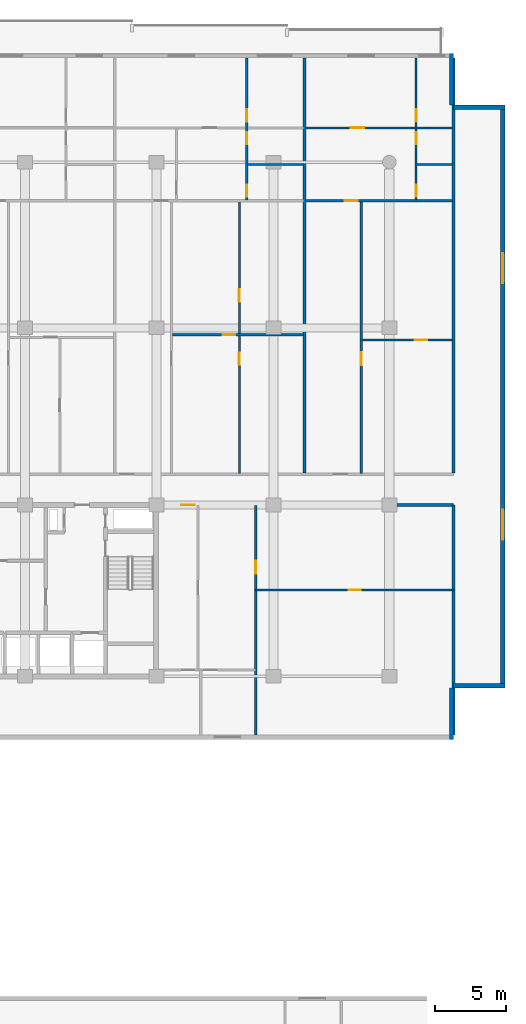
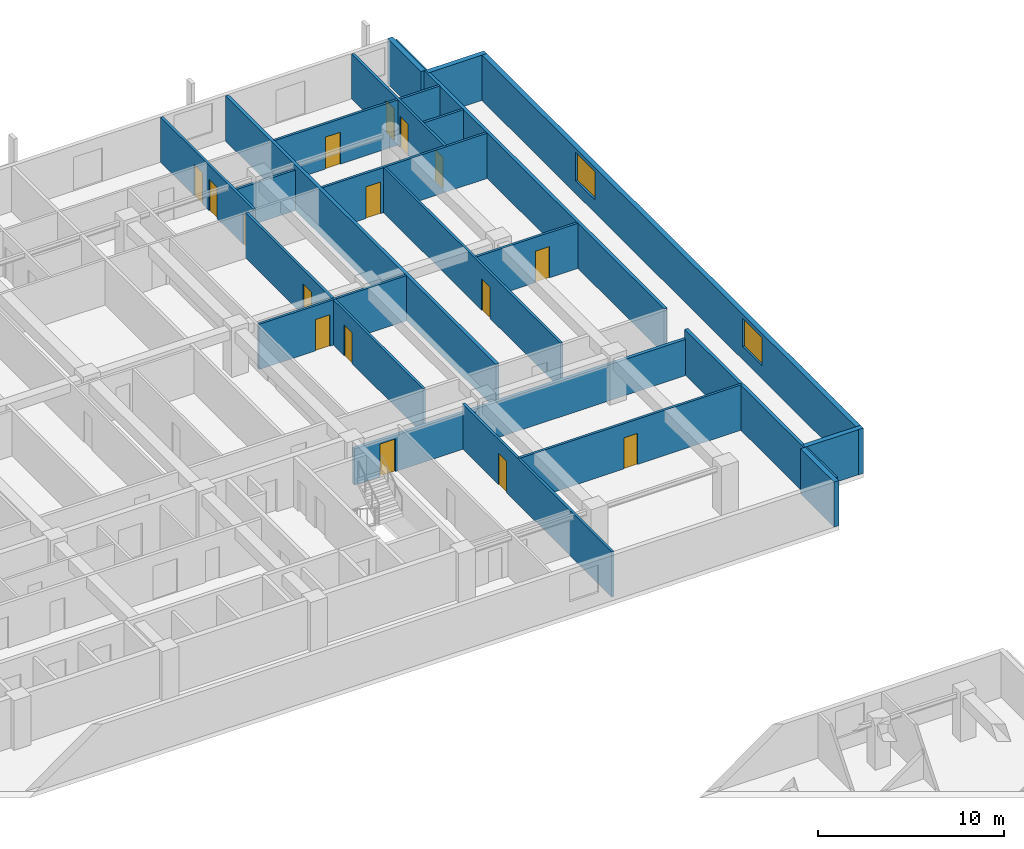
# One storey, part 17 of 23: 21 walls, 16 doors, 2 windows, 18 openings.
"""IFC4 building model written with IfcOpenShell, lengths in metres."""

from ifc_helpers import new_model, si_unit, direction, frame, frame_2d, origin, place, context, subcontext, project, spatial, rectangle, extrude, material, layer, layer_set, type_object, element, fill, save


model = new_model("IFC4")

# Units and contexts
model_context = context("Model", 3, precision=1e-05, world=origin(), true_north=direction((0.0, 1.0)))
body_context = subcontext(model_context, "Body", "Model", "MODEL_VIEW")
ifc_project = project(units=[si_unit("LENGTHUNIT", "METRE"), si_unit("AREAUNIT", "SQUARE_METRE"), si_unit("VOLUMEUNIT", "CUBIC_METRE"), si_unit("PLANEANGLEUNIT", "RADIAN"), si_unit("MASSUNIT", "GRAM", prefix="KILO")], contexts=[model_context])

# Site, building, storey
site_placement = place(None, origin())
site = spatial("IfcSite", under=ifc_project, at=site_placement, CompositionType="ELEMENT")
building_placement = place(site_placement, origin())
building = spatial("IfcBuilding", under=site, at=building_placement, Name="Korimba Cascade Residences", CompositionType="ELEMENT")
storey_placement = place(building_placement, frame((0.0, 0.0, 33.75)))
storey = spatial("IfcBuildingStorey", under=building, at=storey_placement, Name="L08", CompositionType="ELEMENT", Elevation=33.75)

# Walls
ifc_material_1 = material(Name="Precast concrete C40/50", Category="concrete")
ifc_layer_1 = layer(ifc_material_1, 0.300048828125)
ifc_layer_set_1 = layer_set([ifc_layer_1], Name="Precast concrete C40/50")
wall_type_1 = type_object("IfcWallType", Name="EW-STONE-300", PredefinedType="STANDARD", material=ifc_layer_set_1)
wall_1_placement = place(storey_placement, frame((132.75, 50.800048828125, 0.0), z_axis=(0.0, 0.0, 1.0), x_axis=(0.0, 1.0, 0.0)))
element("IfcWall", 1, at=wall_1_placement, inside=storey, type_object=wall_type_1, Name="L08 T1 Perimeter Stone Wall E01", PredefinedType="STANDARD", context=body_context, shape_type="SweptSolid", body=[
    extrude(rectangle(XDim=3.599853515625, YDim=0.300048828125, at=frame_2d((1.7998046875, 0.0))), origin(), (0.0, 0.0, 1.0), 2.969970703125),
])
wall_2_placement = place(storey_placement, frame((132.89990234375, 54.550048828125, 0.0), z_axis=(0.0, 0.0, 1.0), x_axis=(1.0, 0.0, 0.0)))
element("IfcWall", 2, at=wall_2_placement, inside=storey, type_object=wall_type_1, Name="L08 T1 Perimeter Stone Wall E02", PredefinedType="STANDARD", context=body_context, shape_type="SweptSolid", body=[
    extrude(rectangle(XDim=3.60009765625, YDim=0.300048828125, at=frame_2d((1.800048828125, 0.0))), origin(), (0.0, 0.0, 1.0), 2.969970703125),
])

# Wall, openings, windows
wall_3_placement = place(storey_placement, frame((136.35009765625, 54.39990234375, 0.0), z_axis=(0.0, 0.0, 1.0), x_axis=(0.0, 1.0, 0.0)))
wall_3 = element("IfcWall", 3, at=wall_3_placement, inside=storey, type_object=wall_type_1, Name="L08 T1 Perimeter Stone Wall E03", PredefinedType="STANDARD", context=body_context, shape_type="SweptSolid", body=[
    extrude(rectangle(XDim=40.800048828125, YDim=0.300048828125, at=frame_2d((20.39990234375, 0.0))), origin(), (0.0, 0.0, 1.0), 2.969970703125),
])
opening_1_placement = place(wall_3_placement, frame((10.3740234375, 0.0, 0.85009765625)))
opening_1 = element("IfcOpeningElement", 4, at=opening_1_placement, cuts=wall_3, Name="Opening W-03", PredefinedType="OPENING", context=body_context, shape_type="SweptSolid", body=[
    extrude(rectangle(XDim=2.10009765625, YDim=1.85009765625, at=frame_2d((1.050048828125, 0.925048828125))), frame((0.0, 0.16015625, 0.0), z_axis=(0.0, -1.0, 0.0), x_axis=(1.0, 0.0, 0.0)), (0.0, 0.0, 1.0), 0.320068359375),
])
opening_2_placement = place(wall_3_placement, frame((28.325927734375, 0.0, 0.85009765625)))
opening_2 = element("IfcOpeningElement", 5, at=opening_2_placement, cuts=wall_3, Name="Opening W-03", PredefinedType="OPENING", context=body_context, shape_type="SweptSolid", body=[
    extrude(rectangle(XDim=2.10009765625, YDim=1.85009765625, at=frame_2d((1.050048828125, 0.925048828125))), frame((0.0, 0.16015625, 0.0), z_axis=(0.0, -1.0, 0.0), x_axis=(1.0, 0.0, 0.0)), (0.0, 0.0, 1.0), 0.320068359375),
])
ifc_material_2 = material(Name="Double-Glazed Aluminium Window", Category="aluminium")
window_type = type_object("IfcWindowType", Name="WIN-CRN-2100", PartitioningType="DOUBLE_PANEL_HORIZONTAL", PredefinedType="WINDOW", material=ifc_material_2)
window_1_placement = place(opening_1_placement, origin())
window_1 = element("IfcWindow", 6, at=window_1_placement, inside=storey, type_object=window_type, Name="L08 T1 End View Window 3.1", OverallHeight=1.85009765625, OverallWidth=2.10009765625, PartitioningType="DOUBLE_PANEL_HORIZONTAL", PredefinedType="WINDOW", context=body_context, shape_type="SweptSolid", body=[
    extrude(rectangle(XDim=2.10009765625, YDim=1.85009765625, at=frame_2d((1.050048828125, 0.925048828125))), frame((0.0, 0.030029296875, 0.0), z_axis=(0.0, -1.0, 0.0), x_axis=(1.0, 0.0, 0.0)), (0.0, 0.0, 1.0), 0.06005859375),
])
fill(opening_1, window_1)
window_2_placement = place(opening_2_placement, origin())
window_2 = element("IfcWindow", 7, at=window_2_placement, inside=storey, type_object=window_type, Name="L08 T1 End View Window 3.2", OverallHeight=1.85009765625, OverallWidth=2.10009765625, PartitioningType="DOUBLE_PANEL_HORIZONTAL", PredefinedType="WINDOW", context=body_context, shape_type="SweptSolid", body=[
    extrude(rectangle(XDim=2.10009765625, YDim=1.85009765625, at=frame_2d((1.050048828125, 0.925048828125))), frame((0.0, 0.030029296875, 0.0), z_axis=(0.0, -1.0, 0.0), x_axis=(1.0, 0.0, 0.0)), (0.0, 0.0, 1.0), 0.06005859375),
])
fill(opening_2, window_2)

# Walls
for number, where, z_axis, x_axis, name in (
    (8, (136.5, 95.050048828125, 0.0), (0.0, 0.0, 1.0), (-1.0, 0.0, 0.0), "L08 T1 Perimeter Stone Wall E04"),
    (9, (132.75, 95.199951171875, 0.0), (0.0, 0.0, 1.0), (0.0, 1.0, 0.0), "L08 T1 Perimeter Stone Wall E05"),
):
    element("IfcWall", number, at=place(storey_placement, frame(where, z_axis=z_axis, x_axis=x_axis)), inside=storey, type_object=wall_type_1, Name=name, PredefinedType="STANDARD", context=body_context, shape_type="SweptSolid", body=[
        extrude(rectangle(XDim=3.60009765625, YDim=0.300048828125, at=frame_2d((1.800048828125, 0.0))), origin(), (0.0, 0.0, 1.0), 2.969970703125),
    ])
ifc_layer_2 = layer(ifc_material_1, 0.199951171875)
ifc_layer_set_2 = layer_set([ifc_layer_2], Name="Precast concrete C40/50")
wall_type_2 = type_object("IfcWallType", Name="WAL-IT-200", PredefinedType="PARTITIONING", material=ifc_layer_set_2)
wall_4_placement = place(storey_placement, frame((132.89990234375, 51.10009765625, 0.0), z_axis=(0.0, 0.0, 1.0), x_axis=(0.0, 1.0, 0.0)))
element("IfcWall", 10, at=wall_4_placement, inside=storey, type_object=wall_type_2, Name="L08 Partition Wall WAL-L08-T1-FE-WR", PredefinedType="PARTITIONING", context=body_context, shape_type="SweptSolid", body=[
    extrude(rectangle(XDim=16.099853515625, YDim=0.199951171875, at=frame_2d((8.0498046875, 0.0))), origin(), (0.0, 0.0, 1.0), 2.969970703125),
])

# Wall, opening, door
wall_5_placement = place(storey_placement, frame((112.25, 67.199951171875, 0.0), z_axis=(0.0, 0.0, 1.0), x_axis=(1.0, 0.0, 0.0)))
wall_5 = element("IfcWall", 11, at=wall_5_placement, inside=storey, type_object=wall_type_2, Name="L08 Partition Wall WAL-L08-T1-FE-N", PredefinedType="PARTITIONING", context=body_context, shape_type="SweptSolid", body=[
    extrude(rectangle(XDim=20.64990234375, YDim=0.199951171875, at=frame_2d((10.324951171875, 0.0))), origin(), (0.0, 0.0, 1.0), 2.3701171875),
])
opening_3_placement = place(wall_5_placement, frame((1.580078125, 0.0, 0.0)))
opening_3 = element("IfcOpeningElement", 12, at=opening_3_placement, cuts=wall_5, Name="Opening D-UN1", PredefinedType="OPENING", context=body_context, shape_type="SweptSolid", body=[
    extrude(rectangle(XDim=0.949951171875, YDim=2.14990234375, at=frame_2d((0.47509765625, 1.074951171875))), frame((0.0, 0.10986328125, 0.0), z_axis=(0.0, -1.0, 0.0), x_axis=(1.0, 0.0, 0.0)), (0.0, 0.0, 1.0), 0.219970703125),
])
ifc_material_3 = material(Name="Fire-Rated Hardwood Apartment Entrance Door", Category="wood")
door_type_1 = type_object("IfcDoorType", Name="DR-FD60-950", OperationType="NOTDEFINED", PredefinedType="DOOR", material=ifc_material_3)
door_1_placement = place(opening_3_placement, origin())
door_1 = element("IfcDoor", 13, at=door_1_placement, inside=storey, type_object=door_type_1, Name="L08-T1-FE Entrance Door", OperationType="SINGLE_SWING_RIGHT", OverallHeight=2.14990234375, OverallWidth=0.949951171875, PredefinedType="DOOR", context=body_context, shape_type="SweptSolid", body=[
    extrude(rectangle(XDim=0.949951171875, YDim=2.14990234375, at=frame_2d((0.47509765625, 1.074951171875))), frame((0.0, 0.02490234375, 0.0), z_axis=(0.0, -1.0, 0.0), x_axis=(1.0, 0.0, 0.0)), (0.0, 0.0, 1.0), 0.050048828125),
])
fill(opening_3, door_1)

# Walls
for number, where, z_axis, x_axis, name in (
    (14, (132.89990234375, 69.429931640625, 0.0), (0.0, 0.0, 1.0), (0.0, 1.0, 0.0), "L08 Partition Wall WAL-L08-T1-BNDWR"),
    (15, (122.4697265625, 69.429931640625, 0.0), (0.0, 0.0, 1.0), (0.0, 1.0, 0.0), "L08 Partition Wall WAL-L08-T1-DEM-5"),
):
    element("IfcWall", number, at=place(storey_placement, frame(where, z_axis=z_axis, x_axis=x_axis)), inside=storey, type_object=wall_type_2, Name=name, PredefinedType="PARTITIONING", context=body_context, shape_type="SweptSolid", body=[
        extrude(rectangle(XDim=29.070068359375, YDim=0.199951171875, at=frame_2d((14.53515625, 0.0))), origin(), (0.0, 0.0, 1.0), 2.969970703125),
    ])

# Wall, opening, door
ifc_material_4 = material(Name="Insulated Acoustic Stud Partition", Category="gypsum")
ifc_layer_3 = layer(ifc_material_4, 0.14990234375)
ifc_layer_set_3 = layer_set([ifc_layer_3], Name="Insulated Acoustic Stud Partition")
wall_type_3 = type_object("IfcWallType", Name="WAL-PART-150", PredefinedType="PARTITIONING", material=ifc_layer_set_3)
wall_6_placement = place(storey_placement, frame((119.050048828125, 61.25, 0.0), z_axis=(0.0, 0.0, 1.0), x_axis=(1.0, 0.0, 0.0)))
wall_6 = element("IfcWall", 16, at=wall_6_placement, inside=storey, type_object=wall_type_3, Name="L08 Partition Wall WAL-L08-T1-FE-STH", PredefinedType="PARTITIONING", context=body_context, shape_type="SweptSolid", body=[
    extrude(rectangle(XDim=13.849853515625, YDim=0.14990234375, at=frame_2d((6.9248046875, 0.0))), origin(), (0.0, 0.0, 1.0), 2.969970703125),
])
opening_4_placement = place(wall_6_placement, frame((6.5048828125, 0.0, 0.0)))
opening_4 = element("IfcOpeningElement", 17, at=opening_4_placement, cuts=wall_6, Name="Opening D-BT1", PredefinedType="OPENING", context=body_context, shape_type="SweptSolid", body=[
    extrude(rectangle(XDim=0.840087890625, YDim=2.0400390625, at=frame_2d((0.419921875, 1.02001953125))), frame((0.0, 0.0849609375, 0.0), z_axis=(0.0, -1.0, 0.0), x_axis=(1.0, 0.0, 0.0)), (0.0, 0.0, 1.0), 0.169921875),
])
ifc_material_5 = material(Name="Moisture-Resistant Bathroom Timber Door", Category="wood")
door_type_2 = type_object("IfcDoorType", Name="DR-INT-850", OperationType="NOTDEFINED", PredefinedType="DOOR", material=ifc_material_5)
door_2_placement = place(opening_4_placement, origin())
door_2 = element("IfcDoor", 18, at=door_2_placement, inside=storey, type_object=door_type_2, Name="L08-T1-FE Dressing Store Door", OperationType="SINGLE_SWING_LEFT", OverallHeight=2.0400390625, OverallWidth=0.840087890625, PredefinedType="DOOR", context=body_context, shape_type="SweptSolid", body=[
    extrude(rectangle(XDim=0.840087890625, YDim=2.0400390625, at=frame_2d((0.419921875, 1.02001953125))), frame((0.0, 0.02490234375, 0.0), z_axis=(0.0, -1.0, 0.0), x_axis=(1.0, 0.0, 0.0)), (0.0, 0.0, 1.0), 0.050048828125),
])
fill(opening_4, door_2)

wall_7_placement = place(storey_placement, frame((119.050048828125, 51.10009765625, 0.0), z_axis=(0.0, 0.0, 1.0), x_axis=(0.0, 1.0, 0.0)))
wall_7 = element("IfcWall", 19, at=wall_7_placement, inside=storey, type_object=wall_type_3, Name="L08 Partition Wall WAL-L08-T1-FE-STV", PredefinedType="PARTITIONING", context=body_context, shape_type="SweptSolid", body=[
    extrude(rectangle(XDim=16.0498046875, YDim=0.14990234375, at=frame_2d((8.02490234375, 0.0))), origin(), (0.0, 0.0, 1.0), 2.969970703125),
])
opening_5_placement = place(wall_7_placement, frame((11.300048828125, 0.0, 0.0)))
opening_5 = element("IfcOpeningElement", 20, at=opening_5_placement, cuts=wall_7, Name="Opening D-IN2", PredefinedType="OPENING", context=body_context, shape_type="SweptSolid", body=[
    extrude(rectangle(XDim=0.8798828125, YDim=2.06005859375, at=frame_2d((0.43994140625, 1.030029296875))), frame((0.0, 0.0849609375, 0.0), z_axis=(0.0, -1.0, 0.0), x_axis=(1.0, 0.0, 0.0)), (0.0, 0.0, 1.0), 0.169921875),
])
ifc_material_6 = material(Name="Acoustic Timber Bedroom Door", Category="wood")
door_type_3 = type_object("IfcDoorType", Name="DR-INT-880", OperationType="NOTDEFINED", PredefinedType="DOOR", material=ifc_material_6)
door_3_placement = place(opening_5_placement, origin())
door_3 = element("IfcDoor", 21, at=door_3_placement, inside=storey, type_object=door_type_3, Name="L08-T1-FE Study Door", OperationType="SINGLE_SWING_RIGHT", OverallHeight=2.06005859375, OverallWidth=0.8798828125, PredefinedType="DOOR", context=body_context, shape_type="SweptSolid", body=[
    extrude(rectangle(XDim=0.8798828125, YDim=2.06005859375, at=frame_2d((0.43994140625, 1.030029296875))), frame((0.0, 0.02490234375, 0.0), z_axis=(0.0, -1.0, 0.0), x_axis=(1.0, 0.0, 0.0)), (0.0, 0.0, 1.0), 0.050048828125),
])
fill(opening_5, door_3)

# Wall, openings, doors
wall_8_placement = place(storey_placement, frame((117.903564453125, 69.409912109375, 0.0), z_axis=(0.0, 0.0, 1.0), x_axis=(0.0, 1.0, 0.0)))
wall_8 = element("IfcWall", 22, at=wall_8_placement, inside=storey, type_object=wall_type_3, Name="L08 Partition Wall WAL-L08-T1-U05-FMV", PredefinedType="PARTITIONING", context=body_context, shape_type="SweptSolid", body=[
    extrude(rectangle(XDim=19.050048828125, YDim=0.14990234375, at=frame_2d((9.52490234375, 0.0))), origin(), (0.0, 0.0, 1.0), 2.969970703125),
])
opening_6_placement = place(wall_8_placement, frame((7.623291015625, 0.0, 0.0)))
opening_6 = element("IfcOpeningElement", 23, at=opening_6_placement, cuts=wall_8, Name="Opening D-BT1", PredefinedType="OPENING", context=body_context, shape_type="SweptSolid", body=[
    extrude(rectangle(XDim=0.840087890625, YDim=2.0400390625, at=frame_2d((0.419921875, 1.02001953125))), frame((0.0, 0.0849609375, 0.0), z_axis=(0.0, -1.0, 0.0), x_axis=(1.0, 0.0, 0.0)), (0.0, 0.0, 1.0), 0.169921875),
])
opening_7_placement = place(wall_8_placement, frame((12.0, 0.0, 0.0)))
opening_7 = element("IfcOpeningElement", 24, at=opening_7_placement, cuts=wall_8, Name="Opening D-IN2", PredefinedType="OPENING", context=body_context, shape_type="SweptSolid", body=[
    extrude(rectangle(XDim=0.8798828125, YDim=2.06005859375, at=frame_2d((0.43994140625, 1.030029296875))), frame((0.0, 0.0849609375, 0.0), z_axis=(0.0, -1.0, 0.0), x_axis=(1.0, 0.0, 0.0)), (0.0, 0.0, 1.0), 0.169921875),
])
door_4_placement = place(opening_6_placement, origin())
door_4 = element("IfcDoor", 25, at=door_4_placement, inside=storey, type_object=door_type_2, Name="L08-T1-U05 Wardrobe Door", OperationType="SINGLE_SWING_RIGHT", OverallHeight=2.0400390625, OverallWidth=0.840087890625, PredefinedType="DOOR", context=body_context, shape_type="SweptSolid", body=[
    extrude(rectangle(XDim=0.840087890625, YDim=2.0400390625, at=frame_2d((0.419921875, 1.02001953125))), frame((0.0, 0.02490234375, 0.0), z_axis=(0.0, -1.0, 0.0), x_axis=(1.0, 0.0, 0.0)), (0.0, 0.0, 1.0), 0.050048828125),
])
fill(opening_6, door_4)
door_5_placement = place(opening_7_placement, origin())
door_5 = element("IfcDoor", 26, at=door_5_placement, inside=storey, type_object=door_type_3, Name="L08-T1-U05 Music Lounge Door", OperationType="SINGLE_SWING_LEFT", OverallHeight=2.06005859375, OverallWidth=0.8798828125, PredefinedType="DOOR", context=body_context, shape_type="SweptSolid", body=[
    extrude(rectangle(XDim=0.8798828125, YDim=2.06005859375, at=frame_2d((0.43994140625, 1.030029296875))), frame((0.0, 0.02490234375, 0.0), z_axis=(0.0, -1.0, 0.0), x_axis=(1.0, 0.0, 0.0)), (0.0, 0.0, 1.0), 0.050048828125),
])
fill(opening_7, door_5)

# Wall, opening, door
wall_9_placement = place(storey_placement, frame((113.21728515625, 79.114990234375, 0.0), z_axis=(0.0, 0.0, 1.0), x_axis=(1.0, 0.0, 0.0)))
wall_9 = element("IfcWall", 27, at=wall_9_placement, inside=storey, type_object=wall_type_3, Name="L08 Partition Wall WAL-L08-T1-U05-FMH", PredefinedType="PARTITIONING", context=body_context, shape_type="SweptSolid", body=[
    extrude(rectangle(XDim=9.172607421875, YDim=0.14990234375, at=frame_2d((4.58642578125, 0.0))), origin(), (0.0, 0.0, 1.0), 2.969970703125),
])
opening_8_placement = place(wall_9_placement, frame((3.521484375, 0.0, 0.0)))
opening_8 = element("IfcOpeningElement", 28, at=opening_8_placement, cuts=wall_9, Name="Opening D-IN2", PredefinedType="OPENING", context=body_context, shape_type="SweptSolid", body=[
    extrude(rectangle(XDim=0.8798828125, YDim=2.06005859375, at=frame_2d((0.43994140625, 1.030029296875))), frame((0.0, 0.0849609375, 0.0), z_axis=(0.0, -1.0, 0.0), x_axis=(1.0, 0.0, 0.0)), (0.0, 0.0, 1.0), 0.169921875),
])
door_6_placement = place(opening_8_placement, origin())
door_6 = element("IfcDoor", 29, at=door_6_placement, inside=storey, type_object=door_type_3, Name="L08-T1-U05 Library Salon Door", OperationType="SINGLE_SWING_RIGHT", OverallHeight=2.06005859375, OverallWidth=0.8798828125, PredefinedType="DOOR", context=body_context, shape_type="SweptSolid", body=[
    extrude(rectangle(XDim=0.8798828125, YDim=2.06005859375, at=frame_2d((0.43994140625, 1.030029296875))), frame((0.0, 0.02490234375, 0.0), z_axis=(0.0, -1.0, 0.0), x_axis=(1.0, 0.0, 0.0)), (0.0, 0.0, 1.0), 0.050048828125),
])
fill(opening_8, door_6)

# Wall
wall_10_placement = place(storey_placement, frame((118.47998046875, 91.0400390625, 0.0), z_axis=(0.0, 0.0, 1.0), x_axis=(1.0, 0.0, 0.0)))
element("IfcWall", 30, at=wall_10_placement, inside=storey, type_object=wall_type_3, Name="L08 Partition Wall WAL-L08-T1-U05-BLDIV", PredefinedType="PARTITIONING", context=body_context, shape_type="SweptSolid", body=[
    extrude(rectangle(XDim=3.909912109375, YDim=0.14990234375, at=frame_2d((1.955078125, 0.0))), origin(), (0.0, 0.0, 1.0), 2.663330078125),
])

# Wall, openings, doors
wall_11_placement = place(storey_placement, frame((118.419921875, 88.5400390625, 0.0), z_axis=(0.0, 0.0, 1.0), x_axis=(0.0, 1.0, 0.0)))
wall_11 = element("IfcWall", 31, at=wall_11_placement, inside=storey, type_object=wall_type_3, Name="L08 Partition Wall WAL-L08-T1-U05-V1", PredefinedType="PARTITIONING", context=body_context, shape_type="SweptSolid", body=[
    extrude(rectangle(XDim=9.9599609375, YDim=0.14990234375, at=frame_2d((4.97998046875, 0.0))), origin(), (0.0, 0.0, 1.0), 2.969970703125),
])
opening_9_placement = place(wall_11_placement, frame((0.239990234375, 0.0, 0.0)))
opening_9 = element("IfcOpeningElement", 32, at=opening_9_placement, cuts=wall_11, Name="Opening D-BT1", PredefinedType="OPENING", context=body_context, shape_type="SweptSolid", body=[
    extrude(rectangle(XDim=0.840087890625, YDim=2.0400390625, at=frame_2d((0.419921875, 1.02001953125))), frame((0.0, 0.0849609375, 0.0), z_axis=(0.0, -1.0, 0.0), x_axis=(1.0, 0.0, 0.0)), (0.0, 0.0, 1.0), 0.169921875),
])
opening_10_placement = place(wall_11_placement, frame((3.919921875, 0.0, 0.0)))
opening_10 = element("IfcOpeningElement", 33, at=opening_10_placement, cuts=wall_11, Name="Opening D-BT1", PredefinedType="OPENING", context=body_context, shape_type="SweptSolid", body=[
    extrude(rectangle(XDim=0.840087890625, YDim=2.0400390625, at=frame_2d((0.419921875, 1.02001953125))), frame((0.0, 0.0849609375, 0.0), z_axis=(0.0, -1.0, 0.0), x_axis=(1.0, 0.0, 0.0)), (0.0, 0.0, 1.0), 0.169921875),
])
opening_11_placement = place(wall_11_placement, frame((5.47998046875, 0.0, 0.0)))
opening_11 = element("IfcOpeningElement", 34, at=opening_11_placement, cuts=wall_11, Name="Opening D-IN2", PredefinedType="OPENING", context=body_context, shape_type="SweptSolid", body=[
    extrude(rectangle(XDim=0.8798828125, YDim=2.06005859375, at=frame_2d((0.43994140625, 1.030029296875))), frame((0.0, 0.0849609375, 0.0), z_axis=(0.0, -1.0, 0.0), x_axis=(1.0, 0.0, 0.0)), (0.0, 0.0, 1.0), 0.169921875),
])
door_7_placement = place(opening_9_placement, origin())
door_7 = element("IfcDoor", 35, at=door_7_placement, inside=storey, type_object=door_type_2, Name="L08-T1-U05 Bathroom Door", OperationType="SINGLE_SWING_LEFT", OverallHeight=2.0400390625, OverallWidth=0.840087890625, PredefinedType="DOOR", context=body_context, shape_type="SweptSolid", body=[
    extrude(rectangle(XDim=0.840087890625, YDim=2.0400390625, at=frame_2d((0.419921875, 1.02001953125))), frame((0.0, 0.02490234375, 0.0), z_axis=(0.0, -1.0, 0.0), x_axis=(1.0, 0.0, 0.0)), (0.0, 0.0, 1.0), 0.050048828125),
])
fill(opening_9, door_7)
door_8_placement = place(opening_10_placement, origin())
door_8 = element("IfcDoor", 36, at=door_8_placement, inside=storey, type_object=door_type_2, Name="L08-T1-U05 Laundry Door", OperationType="SINGLE_SWING_RIGHT", OverallHeight=2.0400390625, OverallWidth=0.840087890625, PredefinedType="DOOR", context=body_context, shape_type="SweptSolid", body=[
    extrude(rectangle(XDim=0.840087890625, YDim=2.0400390625, at=frame_2d((0.419921875, 1.02001953125))), frame((0.0, 0.02490234375, 0.0), z_axis=(0.0, -1.0, 0.0), x_axis=(1.0, 0.0, 0.0)), (0.0, 0.0, 1.0), 0.050048828125),
])
fill(opening_10, door_8)
door_9_placement = place(opening_11_placement, origin())
door_9 = element("IfcDoor", 37, at=door_9_placement, inside=storey, type_object=door_type_3, Name="L08-T1-U05 Bedroom 1 Door", OperationType="SINGLE_SWING_LEFT", OverallHeight=2.06005859375, OverallWidth=0.8798828125, PredefinedType="DOOR", context=body_context, shape_type="SweptSolid", body=[
    extrude(rectangle(XDim=0.8798828125, YDim=2.06005859375, at=frame_2d((0.43994140625, 1.030029296875))), frame((0.0, 0.02490234375, 0.0), z_axis=(0.0, -1.0, 0.0), x_axis=(1.0, 0.0, 0.0)), (0.0, 0.0, 1.0), 0.050048828125),
])
fill(opening_11, door_9)

# Wall, opening, door
wall_12_placement = place(storey_placement, frame((126.499755859375, 78.7548828125, 0.0), z_axis=(0.0, 0.0, 1.0), x_axis=(1.0, 0.0, 0.0)))
wall_12 = element("IfcWall", 38, at=wall_12_placement, inside=storey, type_object=wall_type_3, Name="L08 Partition Wall WAL-L08-T1-U06-FMH", PredefinedType="PARTITIONING", context=body_context, shape_type="SweptSolid", body=[
    extrude(rectangle(XDim=6.3203125, YDim=0.14990234375, at=frame_2d((3.16015625, 0.0))), origin(), (0.0, 0.0, 1.0), 2.969970703125),
])
opening_12_placement = place(wall_12_placement, frame((3.668212890625, 0.0, 0.0)))
opening_12 = element("IfcOpeningElement", 39, at=opening_12_placement, cuts=wall_12, Name="Opening D-IN2", PredefinedType="OPENING", context=body_context, shape_type="SweptSolid", body=[
    extrude(rectangle(XDim=0.8798828125, YDim=2.06005859375, at=frame_2d((0.43994140625, 1.030029296875))), frame((0.0, 0.0849609375, 0.0), z_axis=(0.0, -1.0, 0.0), x_axis=(1.0, 0.0, 0.0)), (0.0, 0.0, 1.0), 0.169921875),
])
door_10_placement = place(opening_12_placement, origin())
door_10 = element("IfcDoor", 40, at=door_10_placement, inside=storey, type_object=door_type_3, Name="L08-T1-U06 Library Salon Door", OperationType="SINGLE_SWING_RIGHT", OverallHeight=2.06005859375, OverallWidth=0.8798828125, PredefinedType="DOOR", context=body_context, shape_type="SweptSolid", body=[
    extrude(rectangle(XDim=0.8798828125, YDim=2.06005859375, at=frame_2d((0.43994140625, 1.030029296875))), frame((0.0, 0.02490234375, 0.0), z_axis=(0.0, -1.0, 0.0), x_axis=(1.0, 0.0, 0.0)), (0.0, 0.0, 1.0), 0.050048828125),
])
fill(opening_12, door_10)

wall_13_placement = place(storey_placement, frame((126.439697265625, 69.409912109375, 0.0), z_axis=(0.0, 0.0, 1.0), x_axis=(0.0, 1.0, 0.0)))
wall_13 = element("IfcWall", 41, at=wall_13_placement, inside=storey, type_object=wall_type_3, Name="L08 Partition Wall WAL-L08-T1-U06-FV", PredefinedType="PARTITIONING", context=body_context, shape_type="SweptSolid", body=[
    extrude(rectangle(XDim=19.050048828125, YDim=0.14990234375, at=frame_2d((9.52490234375, 0.0))), origin(), (0.0, 0.0, 1.0), 2.969970703125),
])
opening_13_placement = place(wall_13_placement, frame((7.585693359375, 0.0, 0.0)))
opening_13 = element("IfcOpeningElement", 42, at=opening_13_placement, cuts=wall_13, Name="Opening D-IN2", PredefinedType="OPENING", context=body_context, shape_type="SweptSolid", body=[
    extrude(rectangle(XDim=0.8798828125, YDim=2.06005859375, at=frame_2d((0.43994140625, 1.030029296875))), frame((0.0, 0.0849609375, 0.0), z_axis=(0.0, -1.0, 0.0), x_axis=(1.0, 0.0, 0.0)), (0.0, 0.0, 1.0), 0.169921875),
])
door_11_placement = place(opening_13_placement, origin())
door_11 = element("IfcDoor", 43, at=door_11_placement, inside=storey, type_object=door_type_3, Name="L08-T1-U06 Media Lounge Door", OperationType="SINGLE_SWING_LEFT", OverallHeight=2.06005859375, OverallWidth=0.8798828125, PredefinedType="DOOR", context=body_context, shape_type="SweptSolid", body=[
    extrude(rectangle(XDim=0.8798828125, YDim=2.06005859375, at=frame_2d((0.43994140625, 1.030029296875))), frame((0.0, 0.02490234375, 0.0), z_axis=(0.0, -1.0, 0.0), x_axis=(1.0, 0.0, 0.0)), (0.0, 0.0, 1.0), 0.050048828125),
])
fill(opening_13, door_11)

# Wall
wall_14_placement = place(storey_placement, frame((130.340087890625, 91.0400390625, 0.0), z_axis=(0.0, 0.0, 1.0), x_axis=(1.0, 0.0, 0.0)))
element("IfcWall", 44, at=wall_14_placement, inside=storey, type_object=wall_type_3, Name="L08 Partition Wall WAL-L08-T1-U06-BLDIV", PredefinedType="PARTITIONING", context=body_context, shape_type="SweptSolid", body=[
    extrude(rectangle(XDim=2.47998046875, YDim=0.14990234375, at=frame_2d((1.239990234375, 0.0))), origin(), (0.0, 0.0, 1.0), 2.969970703125),
])

# Wall, openings, doors
wall_15_placement = place(storey_placement, frame((130.280029296875, 88.5400390625, 0.0), z_axis=(0.0, 0.0, 1.0), x_axis=(0.0, 1.0, 0.0)))
wall_15 = element("IfcWall", 45, at=wall_15_placement, inside=storey, type_object=wall_type_3, Name="L08 Partition Wall WAL-L08-T1-U06-V1", PredefinedType="PARTITIONING", context=body_context, shape_type="SweptSolid", body=[
    extrude(rectangle(XDim=9.9599609375, YDim=0.14990234375, at=frame_2d((4.97998046875, 0.0))), origin(), (0.0, 0.0, 1.0), 2.969970703125),
])
opening_14_placement = place(wall_15_placement, frame((0.239990234375, 0.0, 0.0)))
opening_14 = element("IfcOpeningElement", 46, at=opening_14_placement, cuts=wall_15, Name="Opening D-BT1", PredefinedType="OPENING", context=body_context, shape_type="SweptSolid", body=[
    extrude(rectangle(XDim=0.840087890625, YDim=2.0400390625, at=frame_2d((0.419921875, 1.02001953125))), frame((0.0, 0.0849609375, 0.0), z_axis=(0.0, -1.0, 0.0), x_axis=(1.0, 0.0, 0.0)), (0.0, 0.0, 1.0), 0.169921875),
])
opening_15_placement = place(wall_15_placement, frame((3.919921875, 0.0, 0.0)))
opening_15 = element("IfcOpeningElement", 47, at=opening_15_placement, cuts=wall_15, Name="Opening D-BT1", PredefinedType="OPENING", context=body_context, shape_type="SweptSolid", body=[
    extrude(rectangle(XDim=0.840087890625, YDim=2.0400390625, at=frame_2d((0.419921875, 1.02001953125))), frame((0.0, 0.0849609375, 0.0), z_axis=(0.0, -1.0, 0.0), x_axis=(1.0, 0.0, 0.0)), (0.0, 0.0, 1.0), 0.169921875),
])
opening_16_placement = place(wall_15_placement, frame((5.47998046875, 0.0, 0.0)))
opening_16 = element("IfcOpeningElement", 48, at=opening_16_placement, cuts=wall_15, Name="Opening D-IN2", PredefinedType="OPENING", context=body_context, shape_type="SweptSolid", body=[
    extrude(rectangle(XDim=0.8798828125, YDim=2.06005859375, at=frame_2d((0.43994140625, 1.030029296875))), frame((0.0, 0.0849609375, 0.0), z_axis=(0.0, -1.0, 0.0), x_axis=(1.0, 0.0, 0.0)), (0.0, 0.0, 1.0), 0.169921875),
])
door_12_placement = place(opening_14_placement, origin())
door_12 = element("IfcDoor", 49, at=door_12_placement, inside=storey, type_object=door_type_2, Name="L08-T1-U06 Bathroom Door", OperationType="SINGLE_SWING_RIGHT", OverallHeight=2.0400390625, OverallWidth=0.840087890625, PredefinedType="DOOR", context=body_context, shape_type="SweptSolid", body=[
    extrude(rectangle(XDim=0.840087890625, YDim=2.0400390625, at=frame_2d((0.419921875, 1.02001953125))), frame((0.0, 0.02490234375, 0.0), z_axis=(0.0, -1.0, 0.0), x_axis=(1.0, 0.0, 0.0)), (0.0, 0.0, 1.0), 0.050048828125),
])
fill(opening_14, door_12)
door_13_placement = place(opening_15_placement, origin())
door_13 = element("IfcDoor", 50, at=door_13_placement, inside=storey, type_object=door_type_2, Name="L08-T1-U06 Laundry Door", OperationType="SINGLE_SWING_LEFT", OverallHeight=2.0400390625, OverallWidth=0.840087890625, PredefinedType="DOOR", context=body_context, shape_type="SweptSolid", body=[
    extrude(rectangle(XDim=0.840087890625, YDim=2.0400390625, at=frame_2d((0.419921875, 1.02001953125))), frame((0.0, 0.02490234375, 0.0), z_axis=(0.0, -1.0, 0.0), x_axis=(1.0, 0.0, 0.0)), (0.0, 0.0, 1.0), 0.050048828125),
])
fill(opening_15, door_13)
door_14_placement = place(opening_16_placement, origin())
door_14 = element("IfcDoor", 51, at=door_14_placement, inside=storey, type_object=door_type_3, Name="L08-T1-U06 Bedroom 1 Door", OperationType="SINGLE_SWING_RIGHT", OverallHeight=2.06005859375, OverallWidth=0.8798828125, PredefinedType="DOOR", context=body_context, shape_type="SweptSolid", body=[
    extrude(rectangle(XDim=0.8798828125, YDim=2.06005859375, at=frame_2d((0.43994140625, 1.030029296875))), frame((0.0, 0.02490234375, 0.0), z_axis=(0.0, -1.0, 0.0), x_axis=(1.0, 0.0, 0.0)), (0.0, 0.0, 1.0), 0.050048828125),
])
fill(opening_16, door_14)

# Wall, opening, door
wall_16_placement = place(storey_placement, frame((122.5498046875, 88.5, 0.0), z_axis=(0.0, 0.0, 1.0), x_axis=(1.0, 0.0, 0.0)))
wall_16 = element("IfcWall", 52, at=wall_16_placement, inside=storey, type_object=wall_type_3, Name="L08 Partition Wall WAL-L08-T1-U06-MW", PredefinedType="PARTITIONING", context=body_context, shape_type="SweptSolid", body=[
    extrude(rectangle(XDim=10.270263671875, YDim=0.14990234375, at=frame_2d((5.13525390625, 0.0))), origin(), (0.0, 0.0, 1.0), 2.969970703125),
])
opening_17_placement = place(wall_16_placement, frame((2.719970703125, 0.0, 0.0)))
opening_17 = element("IfcOpeningElement", 53, at=opening_17_placement, cuts=wall_16, Name="Opening D-IN1", PredefinedType="OPENING", context=body_context, shape_type="SweptSolid", body=[
    extrude(rectangle(XDim=0.919921875, YDim=2.080078125, at=frame_2d((0.4599609375, 1.0400390625))), frame((0.0, 0.0849609375, 0.0), z_axis=(0.0, -1.0, 0.0), x_axis=(1.0, 0.0, 0.0)), (0.0, 0.0, 1.0), 0.169921875),
])
ifc_material_7 = material(Name="Acoustic Timber Living Door", Category="wood")
door_type_4 = type_object("IfcDoorType", Name="DR-INT-920", OperationType="NOTDEFINED", PredefinedType="DOOR", material=ifc_material_7)
door_15_placement = place(opening_17_placement, origin())
door_15 = element("IfcDoor", 54, at=door_15_placement, inside=storey, type_object=door_type_4, Name="L08-T1-U06 Kitchen Archway Door", OperationType="SINGLE_SWING_LEFT", OverallHeight=2.080078125, OverallWidth=0.919921875, PredefinedType="DOOR", context=body_context, shape_type="SweptSolid", body=[
    extrude(rectangle(XDim=0.919921875, YDim=2.080078125, at=frame_2d((0.4599609375, 1.0400390625))), frame((0.0, 0.02490234375, 0.0), z_axis=(0.0, -1.0, 0.0), x_axis=(1.0, 0.0, 0.0)), (0.0, 0.0, 1.0), 0.050048828125),
])
fill(opening_17, door_15)

wall_17_placement = place(storey_placement, frame((122.5498046875, 93.60009765625, 0.0), z_axis=(0.0, 0.0, 1.0), x_axis=(1.0, 0.0, 0.0)))
wall_17 = element("IfcWall", 55, at=wall_17_placement, inside=storey, type_object=wall_type_3, Name="L08 Partition Wall WAL-L08-T1-U06-HZ", PredefinedType="PARTITIONING", context=body_context, shape_type="SweptSolid", body=[
    extrude(rectangle(XDim=10.270263671875, YDim=0.14990234375, at=frame_2d((5.13525390625, 0.0))), origin(), (0.0, 0.0, 1.0), 2.969970703125),
])
opening_18_placement = place(wall_17_placement, frame((3.1435546875, 0.0, 0.0)))
opening_18 = element("IfcOpeningElement", 56, at=opening_18_placement, cuts=wall_17, Name="Opening D-IN0", PredefinedType="OPENING", context=body_context, shape_type="SweptSolid", body=[
    extrude(rectangle(XDim=0.93994140625, YDim=2.10009765625, at=frame_2d((0.469970703125, 1.050048828125))), frame((0.0, 0.0849609375, 0.0), z_axis=(0.0, -1.0, 0.0), x_axis=(1.0, 0.0, 0.0)), (0.0, 0.0, 1.0), 0.169921875),
])
ifc_material_8 = material(Name="Acoustic Timber Living Archway Door", Category="wood")
door_type_5 = type_object("IfcDoorType", Name="DR-INT-950", OperationType="NOTDEFINED", PredefinedType="DOOR", material=ifc_material_8)
door_16_placement = place(opening_18_placement, origin())
door_16 = element("IfcDoor", 57, at=door_16_placement, inside=storey, type_object=door_type_5, Name="L08-T1-U06 Living Archway Door", OperationType="SINGLE_SWING_RIGHT", OverallHeight=2.10009765625, OverallWidth=0.93994140625, PredefinedType="DOOR", context=body_context, shape_type="SweptSolid", body=[
    extrude(rectangle(XDim=0.93994140625, YDim=2.10009765625, at=frame_2d((0.469970703125, 1.050048828125))), frame((0.0, 0.02490234375, 0.0), z_axis=(0.0, -1.0, 0.0), x_axis=(1.0, 0.0, 0.0)), (0.0, 0.0, 1.0), 0.050048828125),
])
fill(opening_18, door_16)

save(model, "model.ifc")
